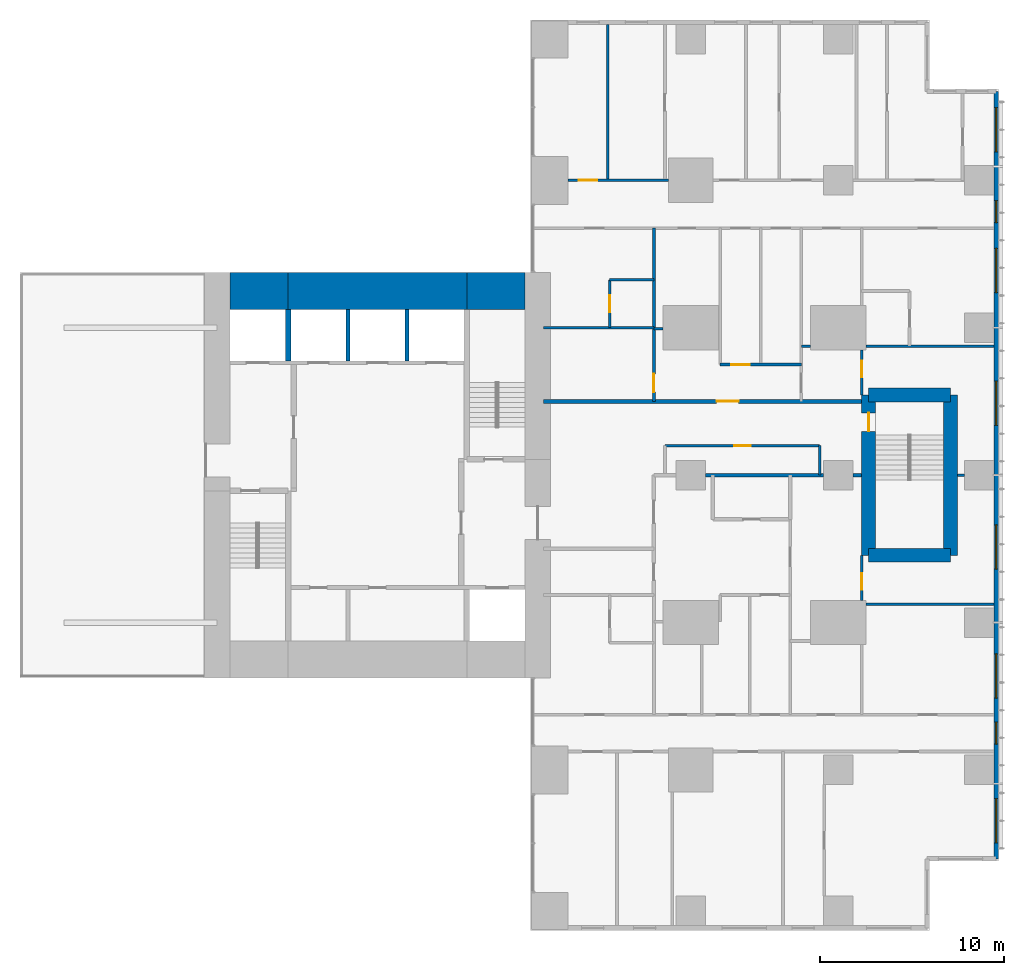
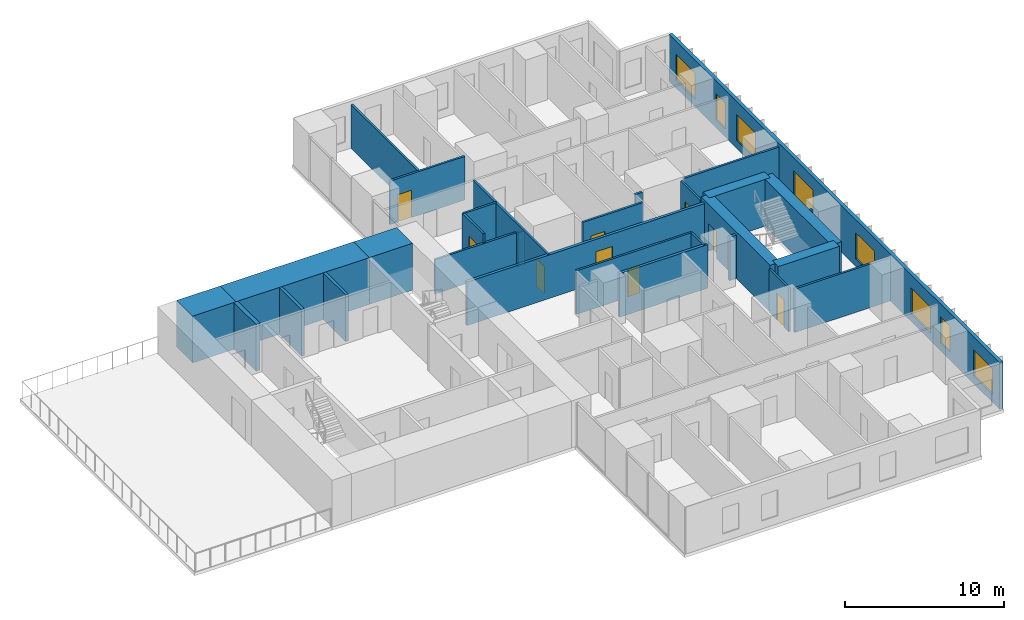
# One storey, part 11 of 14: 30 walls, 9 doors, 8 windows, 17 openings.
"""IFC4 building model written with IfcOpenShell, lengths in metres."""

from ifc_helpers import new_model, si_unit, direction, frame, frame_2d, origin, place, context, subcontext, project, spatial, rectangle, extrude, material, layer, layer_set, type_object, element, fill, save


model = new_model("IFC4")

# Units and contexts
model_context = context("Model", 3, precision=1e-05, world=origin(), true_north=direction((0.0, 1.0)))
body_context = subcontext(model_context, "Body", "Model", "MODEL_VIEW")
ifc_project = project(units=[si_unit("LENGTHUNIT", "METRE"), si_unit("AREAUNIT", "SQUARE_METRE"), si_unit("VOLUMEUNIT", "CUBIC_METRE"), si_unit("PLANEANGLEUNIT", "RADIAN"), si_unit("MASSUNIT", "GRAM", prefix="KILO")], contexts=[model_context])

# Site, building, storey
site_placement = place(None, origin())
site = spatial("IfcSite", under=ifc_project, at=site_placement, CompositionType="ELEMENT")
building_placement = place(site_placement, origin())
building = spatial("IfcBuilding", under=site, at=building_placement, Name="Cleftline Residences", CompositionType="ELEMENT")
storey_placement = place(building_placement, frame((0.0, 0.0, 230.39990234375)))
storey = spatial("IfcBuildingStorey", under=building, at=storey_placement, Name="L60", CompositionType="ELEMENT", Elevation=230.39990234375)

# Walls
ifc_material_1 = material(Name="Concrete B70", Category="concrete")
ifc_layer_1 = layer(ifc_material_1, 2.0)
ifc_layer_set_1 = layer_set([ifc_layer_1], Name="CORE WALL 2000")
wall_type_1 = type_object("IfcWallType", Name="CORE WALL 2000", PredefinedType="SHEAR", material=ifc_layer_set_1)
wall_1_placement = place(storey_placement, frame((25.0, 34.0, 0.0), z_axis=(0.0, 0.0, 1.0), x_axis=(1.0, 0.0, 0.0)))
element("IfcWall", 1, at=wall_1_placement, inside=storey, type_object=wall_type_1, Name="Core wall N1", PredefinedType="SHEAR", context=body_context, shape_type="SweptSolid", body=[
    extrude(rectangle(XDim=3.14990234375, YDim=2.0, at=frame_2d((1.574951171875, 0.0))), origin(), (0.0, 0.0, 1.0), 3.60009765625),
])
wall_2_placement = place(storey_placement, frame((28.14990234375, 34.0, 0.0), z_axis=(0.0, 0.0, 1.0), x_axis=(1.0, 0.0, 0.0)))
element("IfcWall", 2, at=wall_2_placement, inside=storey, type_object=wall_type_1, Name="Core wall N2", PredefinedType="SHEAR", context=body_context, shape_type="SweptSolid", body=[
    extrude(rectangle(XDim=9.7001953125, YDim=2.0, at=frame_2d((4.85009765625, 0.0))), origin(), (0.0, 0.0, 1.0), 3.60009765625),
])
wall_3_placement = place(storey_placement, frame((37.85009765625, 34.0, 0.0), z_axis=(0.0, 0.0, 1.0), x_axis=(1.0, 0.0, 0.0)))
element("IfcWall", 3, at=wall_3_placement, inside=storey, type_object=wall_type_1, Name="Core wall N3", PredefinedType="SHEAR", context=body_context, shape_type="SweptSolid", body=[
    extrude(rectangle(XDim=3.14990234375, YDim=2.0, at=frame_2d((1.574951171875, 0.0))), origin(), (0.0, 0.0, 1.0), 3.60009765625),
])
ifc_material_2 = material(Name="Concrete B70", Category="concrete")
ifc_layer_2 = layer(ifc_material_2, 0.300048828125)
ifc_layer_set_2 = layer_set([ifc_layer_2], Name="CORE WALL 300")
wall_type_2 = type_object("IfcWallType", Name="CORE WALL 300", PredefinedType="SHEAR", material=ifc_layer_set_2)
wall_4_placement = place(storey_placement, frame((28.14990234375, 30.199951171875, 0.0), z_axis=(0.0, 0.0, 1.0), x_axis=(0.0, 1.0, 0.0)))
element("IfcWall", 4, at=wall_4_placement, inside=storey, type_object=wall_type_2, Name="Lift shaft wall", PredefinedType="SHEAR", context=body_context, shape_type="SweptSolid", body=[
    extrude(rectangle(XDim=2.800048828125, YDim=0.300048828125, at=frame_2d((1.39990234375, 0.0))), origin(), (0.0, 0.0, 1.0), 3.60009765625),
])

# Wall, openings, windows
ifc_material_3 = material(Name="Rendered reinforced concrete blockwork", Category="masonry")
ifc_layer_3 = layer(ifc_material_3, 0.25)
ifc_layer_set_3 = layer_set([ifc_layer_3], Name="EXTERNAL WALL 250")
wall_type_3 = type_object("IfcWallType", Name="EXTERNAL WALL 250", PredefinedType="SOLIDWALL", material=ifc_layer_set_3)
wall_5_placement = place(storey_placement, frame((66.574951171875, 3.175048828125, 0.0), z_axis=(0.0, 0.0, 1.0), x_axis=(0.0, 1.0, 0.0)))
wall_5 = element("IfcWall", 5, at=wall_5_placement, inside=storey, type_object=wall_type_3, Name="External wall", PredefinedType="SOLIDWALL", context=body_context, shape_type="SweptSolid", body=[
    extrude(rectangle(XDim=41.64990234375, YDim=0.25, at=frame_2d((20.824951171875, 0.0))), origin(), (0.0, 0.0, 1.0), 3.60009765625),
])
opening_1_placement = place(wall_5_placement, frame((0.875, 0.0, 0.60009765625)))
opening_1 = element("IfcOpeningElement", 6, at=opening_1_placement, cuts=wall_5, Name="Opening W6", PredefinedType="OPENING", context=body_context, shape_type="SweptSolid", body=[
    extrude(rectangle(XDim=2.39990234375, YDim=2.0, at=frame_2d((1.199951171875, 1.0))), frame((0.0, 0.135009765625, 0.0), z_axis=(0.0, -1.0, 0.0), x_axis=(1.0, 0.0, 0.0)), (0.0, 0.0, 1.0), 0.27001953125),
])
opening_2_placement = place(wall_5_placement, frame((6.22509765625, 0.0, 0.60009765625)))
opening_2 = element("IfcOpeningElement", 7, at=opening_2_placement, cuts=wall_5, Name="Opening W8", PredefinedType="OPENING", context=body_context, shape_type="SweptSolid", body=[
    extrude(rectangle(XDim=1.199951171875, YDim=2.0, at=frame_2d((0.60009765625, 1.0))), frame((0.0, 0.135009765625, 0.0), z_axis=(0.0, -1.0, 0.0), x_axis=(1.0, 0.0, 0.0)), (0.0, 0.0, 1.0), 0.27001953125),
])
opening_3_placement = place(wall_5_placement, frame((8.72509765625, 0.0, 0.60009765625)))
opening_3 = element("IfcOpeningElement", 8, at=opening_3_placement, cuts=wall_5, Name="Opening W6", PredefinedType="OPENING", context=body_context, shape_type="SweptSolid", body=[
    extrude(rectangle(XDim=2.39990234375, YDim=2.0, at=frame_2d((1.199951171875, 1.0))), frame((0.0, 0.135009765625, 0.0), z_axis=(0.0, -1.0, 0.0), x_axis=(1.0, 0.0, 0.0)), (0.0, 0.0, 1.0), 0.27001953125),
])
opening_4_placement = place(wall_5_placement, frame((15.72509765625, 0.0, 0.60009765625)))
opening_4 = element("IfcOpeningElement", 9, at=opening_4_placement, cuts=wall_5, Name="Opening W6", PredefinedType="OPENING", context=body_context, shape_type="SweptSolid", body=[
    extrude(rectangle(XDim=2.39990234375, YDim=2.0, at=frame_2d((1.199951171875, 1.0))), frame((0.0, 0.135009765625, 0.0), z_axis=(0.0, -1.0, 0.0), x_axis=(1.0, 0.0, 0.0)), (0.0, 0.0, 1.0), 0.27001953125),
])
opening_5_placement = place(wall_5_placement, frame((23.52490234375, 0.0, 0.60009765625)))
opening_5 = element("IfcOpeningElement", 10, at=opening_5_placement, cuts=wall_5, Name="Opening W6", PredefinedType="OPENING", context=body_context, shape_type="SweptSolid", body=[
    extrude(rectangle(XDim=2.39990234375, YDim=2.0, at=frame_2d((1.199951171875, 1.0))), frame((0.0, 0.135009765625, 0.0), z_axis=(0.0, -1.0, 0.0), x_axis=(1.0, 0.0, 0.0)), (0.0, 0.0, 1.0), 0.27001953125),
])
opening_6_placement = place(wall_5_placement, frame((30.72509765625, 0.0, 0.60009765625)))
opening_6 = element("IfcOpeningElement", 11, at=opening_6_placement, cuts=wall_5, Name="Opening W6", PredefinedType="OPENING", context=body_context, shape_type="SweptSolid", body=[
    extrude(rectangle(XDim=2.39990234375, YDim=2.0, at=frame_2d((1.199951171875, 1.0))), frame((0.0, 0.135009765625, 0.0), z_axis=(0.0, -1.0, 0.0), x_axis=(1.0, 0.0, 0.0)), (0.0, 0.0, 1.0), 0.27001953125),
])
opening_7_placement = place(wall_5_placement, frame((34.52490234375, 0.0, 0.60009765625)))
opening_7 = element("IfcOpeningElement", 12, at=opening_7_placement, cuts=wall_5, Name="Opening W8", PredefinedType="OPENING", context=body_context, shape_type="SweptSolid", body=[
    extrude(rectangle(XDim=1.199951171875, YDim=2.0, at=frame_2d((0.60009765625, 1.0))), frame((0.0, 0.135009765625, 0.0), z_axis=(0.0, -1.0, 0.0), x_axis=(1.0, 0.0, 0.0)), (0.0, 0.0, 1.0), 0.27001953125),
])
opening_8_placement = place(wall_5_placement, frame((38.375, 0.0, 0.60009765625)))
opening_8 = element("IfcOpeningElement", 13, at=opening_8_placement, cuts=wall_5, Name="Opening W6", PredefinedType="OPENING", context=body_context, shape_type="SweptSolid", body=[
    extrude(rectangle(XDim=2.39990234375, YDim=2.0, at=frame_2d((1.199951171875, 1.0))), frame((0.0, 0.135009765625, 0.0), z_axis=(0.0, -1.0, 0.0), x_axis=(1.0, 0.0, 0.0)), (0.0, 0.0, 1.0), 0.27001953125),
])
ifc_material_4 = material(Name="Aluminium frame, clear double glazing", Category="aluminium")
window_type_1 = type_object("IfcWindowType", Name="WINDOW 1200X2000", PartitioningType="DOUBLE_PANEL_VERTICAL", PredefinedType="WINDOW", material=ifc_material_4)
window_1_placement = place(opening_2_placement, origin())
window_1 = element("IfcWindow", 14, at=window_1_placement, inside=storey, type_object=window_type_1, Name="Window", OverallHeight=2.0, OverallWidth=1.199951171875, PartitioningType="SINGLE_PANEL", PredefinedType="WINDOW", context=body_context, shape_type="SweptSolid", body=[
    extrude(rectangle(XDim=1.199951171875, YDim=2.0, at=frame_2d((0.60009765625, 1.0))), frame((0.0, 0.030029296875, 0.0), z_axis=(0.0, -1.0, 0.0), x_axis=(1.0, 0.0, 0.0)), (0.0, 0.0, 1.0), 0.06005859375),
])
fill(opening_2, window_1)
window_2_placement = place(opening_7_placement, origin())
window_2 = element("IfcWindow", 15, at=window_2_placement, inside=storey, type_object=window_type_1, Name="Window", OverallHeight=2.0, OverallWidth=1.199951171875, PartitioningType="SINGLE_PANEL", PredefinedType="WINDOW", context=body_context, shape_type="SweptSolid", body=[
    extrude(rectangle(XDim=1.199951171875, YDim=2.0, at=frame_2d((0.60009765625, 1.0))), frame((0.0, 0.030029296875, 0.0), z_axis=(0.0, -1.0, 0.0), x_axis=(1.0, 0.0, 0.0)), (0.0, 0.0, 1.0), 0.06005859375),
])
fill(opening_7, window_2)
ifc_material_5 = material(Name="Aluminium frame, clear double glazing", Category="aluminium")
window_type_2 = type_object("IfcWindowType", Name="WINDOW 2400X2000", PartitioningType="DOUBLE_PANEL_VERTICAL", PredefinedType="WINDOW", material=ifc_material_5)
window_3_placement = place(opening_1_placement, origin())
window_3 = element("IfcWindow", 16, at=window_3_placement, inside=storey, type_object=window_type_2, Name="Window", OverallHeight=2.0, OverallWidth=2.39990234375, PartitioningType="SINGLE_PANEL", PredefinedType="WINDOW", context=body_context, shape_type="SweptSolid", body=[
    extrude(rectangle(XDim=2.39990234375, YDim=2.0, at=frame_2d((1.199951171875, 1.0))), frame((0.0, 0.030029296875, 0.0), z_axis=(0.0, -1.0, 0.0), x_axis=(1.0, 0.0, 0.0)), (0.0, 0.0, 1.0), 0.06005859375),
])
fill(opening_1, window_3)
window_4_placement = place(opening_3_placement, origin())
window_4 = element("IfcWindow", 17, at=window_4_placement, inside=storey, type_object=window_type_2, Name="Window", OverallHeight=2.0, OverallWidth=2.39990234375, PartitioningType="SINGLE_PANEL", PredefinedType="WINDOW", context=body_context, shape_type="SweptSolid", body=[
    extrude(rectangle(XDim=2.39990234375, YDim=2.0, at=frame_2d((1.199951171875, 1.0))), frame((0.0, 0.030029296875, 0.0), z_axis=(0.0, -1.0, 0.0), x_axis=(1.0, 0.0, 0.0)), (0.0, 0.0, 1.0), 0.06005859375),
])
fill(opening_3, window_4)
window_5_placement = place(opening_4_placement, origin())
window_5 = element("IfcWindow", 18, at=window_5_placement, inside=storey, type_object=window_type_2, Name="Window", OverallHeight=2.0, OverallWidth=2.39990234375, PartitioningType="SINGLE_PANEL", PredefinedType="WINDOW", context=body_context, shape_type="SweptSolid", body=[
    extrude(rectangle(XDim=2.39990234375, YDim=2.0, at=frame_2d((1.199951171875, 1.0))), frame((0.0, 0.030029296875, 0.0), z_axis=(0.0, -1.0, 0.0), x_axis=(1.0, 0.0, 0.0)), (0.0, 0.0, 1.0), 0.06005859375),
])
fill(opening_4, window_5)
window_6_placement = place(opening_5_placement, origin())
window_6 = element("IfcWindow", 19, at=window_6_placement, inside=storey, type_object=window_type_2, Name="Window", OverallHeight=2.0, OverallWidth=2.39990234375, PartitioningType="SINGLE_PANEL", PredefinedType="WINDOW", context=body_context, shape_type="SweptSolid", body=[
    extrude(rectangle(XDim=2.39990234375, YDim=2.0, at=frame_2d((1.199951171875, 1.0))), frame((0.0, 0.030029296875, 0.0), z_axis=(0.0, -1.0, 0.0), x_axis=(1.0, 0.0, 0.0)), (0.0, 0.0, 1.0), 0.06005859375),
])
fill(opening_5, window_6)
window_7_placement = place(opening_6_placement, origin())
window_7 = element("IfcWindow", 20, at=window_7_placement, inside=storey, type_object=window_type_2, Name="Window", OverallHeight=2.0, OverallWidth=2.39990234375, PartitioningType="SINGLE_PANEL", PredefinedType="WINDOW", context=body_context, shape_type="SweptSolid", body=[
    extrude(rectangle(XDim=2.39990234375, YDim=2.0, at=frame_2d((1.199951171875, 1.0))), frame((0.0, 0.030029296875, 0.0), z_axis=(0.0, -1.0, 0.0), x_axis=(1.0, 0.0, 0.0)), (0.0, 0.0, 1.0), 0.06005859375),
])
fill(opening_6, window_7)
window_8_placement = place(opening_8_placement, origin())
window_8 = element("IfcWindow", 21, at=window_8_placement, inside=storey, type_object=window_type_2, Name="Window", OverallHeight=2.0, OverallWidth=2.39990234375, PartitioningType="SINGLE_PANEL", PredefinedType="WINDOW", context=body_context, shape_type="SweptSolid", body=[
    extrude(rectangle(XDim=2.39990234375, YDim=2.0, at=frame_2d((1.199951171875, 1.0))), frame((0.0, 0.030029296875, 0.0), z_axis=(0.0, -1.0, 0.0), x_axis=(1.0, 0.0, 0.0)), (0.0, 0.0, 1.0), 0.06005859375),
])
fill(opening_8, window_8)

# Walls
ifc_material_6 = material(Name="Concrete blockwork, fire rated", Category="masonry")
ifc_layer_4 = layer(ifc_material_6, 0.199951171875)
ifc_layer_set_4 = layer_set([ifc_layer_4], Name="FIRE WALL 200")
wall_type_4 = type_object("IfcWallType", Name="FIRE WALL 200", PredefinedType="PARTITIONING", material=ifc_layer_set_4)
wall_6_placement = place(storey_placement, frame((50.800048828125, 24.0, 0.0), z_axis=(0.0, 0.0, 1.0), x_axis=(1.0, 0.0, 0.0)))
element("IfcWall", 22, at=wall_6_placement, inside=storey, type_object=wall_type_4, Name="Fire separating wall", PredefinedType="PARTITIONING", context=body_context, shape_type="SweptSolid", body=[
    extrude(rectangle(XDim=6.39990234375, YDim=0.199951171875, at=frame_2d((3.199951171875, 0.0))), origin(), (0.0, 0.0, 1.0), 3.35009765625),
])
wall_7_placement = place(storey_placement, frame((58.800048828125, 24.0, 0.0), z_axis=(0.0, 0.0, 1.0), x_axis=(1.0, 0.0, 0.0)))
element("IfcWall", 23, at=wall_7_placement, inside=storey, type_object=wall_type_4, Name="Fire separating wall", PredefinedType="PARTITIONING", context=body_context, shape_type="SweptSolid", body=[
    extrude(rectangle(XDim=0.474853515625, YDim=0.199951171875, at=frame_2d((0.2373046875, 0.0))), origin(), (0.0, 0.0, 1.0), 3.35009765625),
])

# Wall, opening, door
wall_8_placement = place(storey_placement, frame((42.0, 28.0, 0.0), z_axis=(0.0, 0.0, 1.0), x_axis=(1.0, 0.0, 0.0)))
wall_8 = element("IfcWall", 24, at=wall_8_placement, inside=storey, type_object=wall_type_4, Name="Fire separating wall", PredefinedType="PARTITIONING", context=body_context, shape_type="SweptSolid", body=[
    extrude(rectangle(XDim=17.27490234375, YDim=0.199951171875, at=frame_2d((8.637451171875, 0.0))), origin(), (0.0, 0.0, 1.0), 3.35009765625),
])
opening_9_placement = place(wall_8_placement, frame((9.39990234375, 0.0, 0.0)))
opening_9 = element("IfcOpeningElement", 25, at=opening_9_placement, cuts=wall_8, Name="Opening D4", PredefinedType="OPENING", context=body_context, shape_type="SweptSolid", body=[
    extrude(rectangle(XDim=1.199951171875, YDim=2.39990234375, at=frame_2d((0.60009765625, 1.199951171875))), frame((0.0, 0.10986328125, 0.0), z_axis=(0.0, -1.0, 0.0), x_axis=(1.0, 0.0, 0.0)), (0.0, 0.0, 1.0), 0.219970703125),
])
ifc_material_7 = material(Name="Timber veneer on solid core", Category="wood")
door_type_1 = type_object("IfcDoorType", Name="APARTMENT ENTRANCE DOOR 1200X2400", OperationType="SINGLE_SWING_RIGHT", PredefinedType="DOOR", material=ifc_material_7)
door_1_placement = place(opening_9_placement, origin())
door_1 = element("IfcDoor", 26, at=door_1_placement, inside=storey, type_object=door_type_1, Name="Door to residence entrance (gallery)", OperationType="SINGLE_SWING_LEFT", OverallHeight=2.39990234375, OverallWidth=1.199951171875, PredefinedType="DOOR", context=body_context, shape_type="SweptSolid", body=[
    extrude(rectangle(XDim=1.199951171875, YDim=2.39990234375, at=frame_2d((0.60009765625, 1.199951171875))), frame((0.0, 0.02490234375, 0.0), z_axis=(0.0, -1.0, 0.0), x_axis=(1.0, 0.0, 0.0)), (0.0, 0.0, 1.0), 0.050048828125),
])
fill(opening_9, door_1)

# Walls
ifc_material_8 = material(Name="Gypsum board on steel studs", Category="steel")
ifc_layer_5 = layer(ifc_material_8, 0.14990234375)
ifc_layer_set_5 = layer_set([ifc_layer_5], Name="PARTITION 150")
wall_type_5 = type_object("IfcWallType", Name="PARTITION 150", PredefinedType="PARTITIONING", material=ifc_layer_set_5)
wall_9_placement = place(storey_placement, frame((59.5, 17.0, 0.0), z_axis=(0.0, 0.0, 1.0), x_axis=(1.0, 0.0, 0.0)))
element("IfcWall", 27, at=wall_9_placement, inside=storey, type_object=wall_type_5, Name="Partition", PredefinedType="PARTITIONING", context=body_context, shape_type="SweptSolid", body=[
    extrude(rectangle(XDim=6.949951171875, YDim=0.14990234375, at=frame_2d((3.47509765625, 0.0))), origin(), (0.0, 0.0, 1.0), 3.35009765625),
])
wall_10_placement = place(storey_placement, frame((64.47509765625, 24.0, 0.0), z_axis=(0.0, 0.0, 1.0), x_axis=(1.0, 0.0, 0.0)))
element("IfcWall", 28, at=wall_10_placement, inside=storey, type_object=wall_type_5, Name="Partition", PredefinedType="PARTITIONING", context=body_context, shape_type="SweptSolid", body=[
    extrude(rectangle(XDim=0.375, YDim=0.14990234375, at=frame_2d((0.1875, 0.0))), origin(), (0.0, 0.0, 1.0), 3.35009765625),
])

# Wall, opening, door
wall_11_placement = place(storey_placement, frame((48.60009765625, 25.60009765625, 0.0), z_axis=(0.0, 0.0, 1.0), x_axis=(1.0, 0.0, 0.0)))
wall_11 = element("IfcWall", 29, at=wall_11_placement, inside=storey, type_object=wall_type_5, Name="Partition", PredefinedType="PARTITIONING", context=body_context, shape_type="SweptSolid", body=[
    extrude(rectangle(XDim=8.39990234375, YDim=0.14990234375, at=frame_2d((4.199951171875, 0.0))), origin(), (0.0, 0.0, 1.0), 3.35009765625),
])
opening_10_placement = place(wall_11_placement, frame((3.75, 0.0, 0.0)))
opening_10 = element("IfcOpeningElement", 30, at=opening_10_placement, cuts=wall_11, Name="Opening D1", PredefinedType="OPENING", context=body_context, shape_type="SweptSolid", body=[
    extrude(rectangle(XDim=0.89990234375, YDim=2.10009765625, at=frame_2d((0.449951171875, 1.050048828125))), frame((0.0, 0.0849609375, 0.0), z_axis=(0.0, -1.0, 0.0), x_axis=(1.0, 0.0, 0.0)), (0.0, 0.0, 1.0), 0.169921875),
])
ifc_material_9 = material(Name="Timber veneer on solid core", Category="wood")
door_type_2 = type_object("IfcDoorType", Name="DOOR 900X2100", OperationType="SINGLE_SWING_LEFT", PredefinedType="DOOR", material=ifc_material_9)
door_2_placement = place(opening_10_placement, origin())
door_2 = element("IfcDoor", 31, at=door_2_placement, inside=storey, type_object=door_type_2, Name="Door to residents' locker room", OperationType="SINGLE_SWING_LEFT", OverallHeight=2.10009765625, OverallWidth=0.89990234375, PredefinedType="DOOR", context=body_context, shape_type="SweptSolid", body=[
    extrude(rectangle(XDim=0.89990234375, YDim=2.10009765625, at=frame_2d((0.449951171875, 1.050048828125))), frame((0.0, 0.02490234375, 0.0), z_axis=(0.0, -1.0, 0.0), x_axis=(1.0, 0.0, 0.0)), (0.0, 0.0, 1.0), 0.050048828125),
])
fill(opening_10, door_2)

wall_12_placement = place(storey_placement, frame((51.60009765625, 30.0, 0.0), z_axis=(0.0, 0.0, 1.0), x_axis=(1.0, 0.0, 0.0)))
wall_12 = element("IfcWall", 32, at=wall_12_placement, inside=storey, type_object=wall_type_5, Name="Partition", PredefinedType="PARTITIONING", context=body_context, shape_type="SweptSolid", body=[
    extrude(rectangle(XDim=4.39990234375, YDim=0.14990234375, at=frame_2d((2.199951171875, 0.0))), origin(), (0.0, 0.0, 1.0), 3.35009765625),
])
opening_11_placement = place(wall_12_placement, frame((0.60009765625, 0.0, 0.0)))
opening_11 = element("IfcOpeningElement", 33, at=opening_11_placement, cuts=wall_12, Name="Opening D2", PredefinedType="OPENING", context=body_context, shape_type="SweptSolid", body=[
    extrude(rectangle(XDim=1.0, YDim=2.10009765625, at=frame_2d((0.5, 1.050048828125))), frame((0.0, 0.0849609375, 0.0), z_axis=(0.0, -1.0, 0.0), x_axis=(1.0, 0.0, 0.0)), (0.0, 0.0, 1.0), 0.169921875),
])
ifc_material_10 = material(Name="Timber veneer on solid core", Category="wood")
door_type_3 = type_object("IfcDoorType", Name="DOOR 1000X2100", OperationType="SINGLE_SWING_LEFT", PredefinedType="DOOR", material=ifc_material_10)
door_3_placement = place(opening_11_placement, origin())
door_3 = element("IfcDoor", 34, at=door_3_placement, inside=storey, type_object=door_type_3, Name="Door to residence passage", OperationType="SINGLE_SWING_RIGHT", OverallHeight=2.10009765625, OverallWidth=1.0, PredefinedType="DOOR", context=body_context, shape_type="SweptSolid", body=[
    extrude(rectangle(XDim=1.0, YDim=2.10009765625, at=frame_2d((0.5, 1.050048828125))), frame((0.0, 0.02490234375, 0.0), z_axis=(0.0, -1.0, 0.0), x_axis=(1.0, 0.0, 0.0)), (0.0, 0.0, 1.0), 0.050048828125),
])
fill(opening_11, door_3)

# Walls
wall_13_placement = place(storey_placement, frame((56.0, 31.0, 0.0), z_axis=(0.0, 0.0, 1.0), x_axis=(1.0, 0.0, 0.0)))
element("IfcWall", 35, at=wall_13_placement, inside=storey, type_object=wall_type_5, Name="Partition", PredefinedType="PARTITIONING", context=body_context, shape_type="SweptSolid", body=[
    extrude(rectangle(XDim=0.5, YDim=0.14990234375, at=frame_2d((0.25, 0.0))), origin(), (0.0, 0.0, 1.0), 3.35009765625),
])
wall_14_placement = place(storey_placement, frame((59.5, 31.0, 0.0), z_axis=(0.0, 0.0, 1.0), x_axis=(1.0, 0.0, 0.0)))
element("IfcWall", 36, at=wall_14_placement, inside=storey, type_object=wall_type_5, Name="Partition", PredefinedType="PARTITIONING", context=body_context, shape_type="SweptSolid", body=[
    extrude(rectangle(XDim=6.949951171875, YDim=0.14990234375, at=frame_2d((3.47509765625, 0.0))), origin(), (0.0, 0.0, 1.0), 3.35009765625),
])
wall_15_placement = place(storey_placement, frame((48.0, 31.949951171875, 0.0), z_axis=(0.0, 0.0, 1.0), x_axis=(1.0, 0.0, 0.0)))
element("IfcWall", 37, at=wall_15_placement, inside=storey, type_object=wall_type_5, Name="Partition", PredefinedType="PARTITIONING", context=body_context, shape_type="SweptSolid", body=[
    extrude(rectangle(XDim=0.5, YDim=0.14990234375, at=frame_2d((0.25, 0.0))), origin(), (0.0, 0.0, 1.0), 2.634033203125),
])
wall_16_placement = place(storey_placement, frame((42.0, 32.0, 0.0), z_axis=(0.0, 0.0, 1.0), x_axis=(1.0, 0.0, 0.0)))
element("IfcWall", 38, at=wall_16_placement, inside=storey, type_object=wall_type_5, Name="Partition", PredefinedType="PARTITIONING", context=body_context, shape_type="SweptSolid", body=[
    extrude(rectangle(XDim=6.0, YDim=0.14990234375, at=frame_2d((3.0, 0.0))), origin(), (0.0, 0.0, 1.0), 2.634033203125),
])
wall_17_placement = place(storey_placement, frame((45.60009765625, 34.60009765625, 0.0), z_axis=(0.0, 0.0, 1.0), x_axis=(1.0, 0.0, 0.0)))
element("IfcWall", 39, at=wall_17_placement, inside=storey, type_object=wall_type_5, Name="Partition", PredefinedType="PARTITIONING", context=body_context, shape_type="SweptSolid", body=[
    extrude(rectangle(XDim=2.39990234375, YDim=0.14990234375, at=frame_2d((1.199951171875, 0.0))), origin(), (0.0, 0.0, 1.0), 3.35009765625),
])

# Wall, opening, door
wall_18_placement = place(storey_placement, frame((43.35009765625, 40.0, 0.0), z_axis=(0.0, 0.0, 1.0), x_axis=(1.0, 0.0, 0.0)))
wall_18 = element("IfcWall", 40, at=wall_18_placement, inside=storey, type_object=wall_type_5, Name="Partition", PredefinedType="PARTITIONING", context=body_context, shape_type="SweptSolid", body=[
    extrude(rectangle(XDim=5.449951171875, YDim=0.14990234375, at=frame_2d((2.72509765625, 0.0))), origin(), (0.0, 0.0, 1.0), 3.35009765625),
])
opening_12_placement = place(wall_18_placement, frame((0.574951171875, 0.0, 0.0)))
opening_12 = element("IfcOpeningElement", 41, at=opening_12_placement, cuts=wall_18, Name="Opening D2", PredefinedType="OPENING", context=body_context, shape_type="SweptSolid", body=[
    extrude(rectangle(XDim=1.0, YDim=2.10009765625, at=frame_2d((0.5, 1.050048828125))), frame((0.0, 0.0849609375, 0.0), z_axis=(0.0, -1.0, 0.0), x_axis=(1.0, 0.0, 0.0)), (0.0, 0.0, 1.0), 0.169921875),
])
door_4_placement = place(opening_12_placement, origin())
door_4 = element("IfcDoor", 42, at=door_4_placement, inside=storey, type_object=door_type_3, Name="Door to family room", OperationType="SINGLE_SWING_RIGHT", OverallHeight=2.10009765625, OverallWidth=1.0, PredefinedType="DOOR", context=body_context, shape_type="SweptSolid", body=[
    extrude(rectangle(XDim=1.0, YDim=2.10009765625, at=frame_2d((0.5, 1.050048828125))), frame((0.0, 0.02490234375, 0.0), z_axis=(0.0, -1.0, 0.0), x_axis=(1.0, 0.0, 0.0)), (0.0, 0.0, 1.0), 0.050048828125),
])
fill(opening_12, door_4)

# Wall
wall_19_placement = place(storey_placement, frame((45.5, 40.0, 0.0), z_axis=(0.0, 0.0, 1.0), x_axis=(0.0, 1.0, 0.0)))
element("IfcWall", 43, at=wall_19_placement, inside=storey, type_object=wall_type_5, Name="Partition", PredefinedType="PARTITIONING", context=body_context, shape_type="SweptSolid", body=[
    extrude(rectangle(XDim=8.449951171875, YDim=0.14990234375, at=frame_2d((4.22509765625, 0.0))), origin(), (0.0, 0.0, 1.0), 3.35009765625),
])

# Wall, opening, door
wall_20_placement = place(storey_placement, frame((45.60009765625, 32.0, 0.0), z_axis=(0.0, 0.0, 1.0), x_axis=(0.0, 1.0, 0.0)))
wall_20 = element("IfcWall", 44, at=wall_20_placement, inside=storey, type_object=wall_type_5, Name="Partition", PredefinedType="PARTITIONING", context=body_context, shape_type="SweptSolid", body=[
    extrude(rectangle(XDim=2.60009765625, YDim=0.14990234375, at=frame_2d((1.300048828125, 0.0))), origin(), (0.0, 0.0, 1.0), 3.35009765625),
])
opening_13_placement = place(wall_20_placement, frame((0.85009765625, 0.0, 0.0)))
opening_13 = element("IfcOpeningElement", 45, at=opening_13_placement, cuts=wall_20, Name="Opening D1", PredefinedType="OPENING", context=body_context, shape_type="SweptSolid", body=[
    extrude(rectangle(XDim=0.89990234375, YDim=2.10009765625, at=frame_2d((0.449951171875, 1.050048828125))), frame((0.0, 0.0849609375, 0.0), z_axis=(0.0, -1.0, 0.0), x_axis=(1.0, 0.0, 0.0)), (0.0, 0.0, 1.0), 0.169921875),
])
door_5_placement = place(opening_13_placement, origin())
door_5 = element("IfcDoor", 46, at=door_5_placement, inside=storey, type_object=door_type_2, Name="Door to en-suite bathroom 5", OperationType="SINGLE_SWING_LEFT", OverallHeight=2.10009765625, OverallWidth=0.89990234375, PredefinedType="DOOR", context=body_context, shape_type="SweptSolid", body=[
    extrude(rectangle(XDim=0.89990234375, YDim=2.10009765625, at=frame_2d((0.449951171875, 1.050048828125))), frame((0.0, 0.02490234375, 0.0), z_axis=(0.0, -1.0, 0.0), x_axis=(1.0, 0.0, 0.0)), (0.0, 0.0, 1.0), 0.050048828125),
])
fill(opening_13, door_5)

wall_21_placement = place(storey_placement, frame((48.0, 28.0, 0.0), z_axis=(0.0, 0.0, 1.0), x_axis=(0.0, 1.0, 0.0)))
wall_21 = element("IfcWall", 47, at=wall_21_placement, inside=storey, type_object=wall_type_5, Name="Partition", PredefinedType="PARTITIONING", context=body_context, shape_type="SweptSolid", body=[
    extrude(rectangle(XDim=9.39990234375, YDim=0.14990234375, at=frame_2d((4.699951171875, 0.0))), origin(), (0.0, 0.0, 1.0), 3.35009765625),
])
opening_14_placement = place(wall_21_placement, frame((0.5, 0.0, 0.0)))
opening_14 = element("IfcOpeningElement", 48, at=opening_14_placement, cuts=wall_21, Name="Opening D2", PredefinedType="OPENING", context=body_context, shape_type="SweptSolid", body=[
    extrude(rectangle(XDim=1.0, YDim=2.10009765625, at=frame_2d((0.5, 1.050048828125))), frame((0.0, 0.0849609375, 0.0), z_axis=(0.0, -1.0, 0.0), x_axis=(1.0, 0.0, 0.0)), (0.0, 0.0, 1.0), 0.169921875),
])
door_6_placement = place(opening_14_placement, origin())
door_6 = element("IfcDoor", 49, at=door_6_placement, inside=storey, type_object=door_type_3, Name="Door to morning kitchen", OperationType="SINGLE_SWING_RIGHT", OverallHeight=2.10009765625, OverallWidth=1.0, PredefinedType="DOOR", context=body_context, shape_type="SweptSolid", body=[
    extrude(rectangle(XDim=1.0, YDim=2.10009765625, at=frame_2d((0.5, 1.050048828125))), frame((0.0, 0.02490234375, 0.0), z_axis=(0.0, -1.0, 0.0), x_axis=(1.0, 0.0, 0.0)), (0.0, 0.0, 1.0), 0.050048828125),
])
fill(opening_14, door_6)

# Wall
wall_22_placement = place(storey_placement, frame((57.0, 24.0, 0.0), z_axis=(0.0, 0.0, 1.0), x_axis=(0.0, 1.0, 0.0)))
element("IfcWall", 50, at=wall_22_placement, inside=storey, type_object=wall_type_5, Name="Partition", PredefinedType="PARTITIONING", context=body_context, shape_type="SweptSolid", body=[
    extrude(rectangle(XDim=1.60009765625, YDim=0.14990234375, at=frame_2d((0.800048828125, 0.0))), origin(), (0.0, 0.0, 1.0), 3.35009765625),
])

# Wall, opening, door
wall_23_placement = place(storey_placement, frame((59.27490234375, 17.199951171875, 0.0), z_axis=(0.0, 0.0, 1.0), x_axis=(0.0, 1.0, 0.0)))
wall_23 = element("IfcWall", 51, at=wall_23_placement, inside=storey, type_object=wall_type_5, Name="Partition", PredefinedType="PARTITIONING", context=body_context, shape_type="SweptSolid", body=[
    extrude(rectangle(XDim=2.449951171875, YDim=0.14990234375, at=frame_2d((1.22509765625, 0.0))), origin(), (0.0, 0.0, 1.0), 3.35009765625),
])
opening_15_placement = place(wall_23_placement, frame((0.58740234375, 0.0, 0.0)))
opening_15 = element("IfcOpeningElement", 52, at=opening_15_placement, cuts=wall_23, Name="Opening D1", PredefinedType="OPENING", context=body_context, shape_type="SweptSolid", body=[
    extrude(rectangle(XDim=0.89990234375, YDim=2.10009765625, at=frame_2d((0.449951171875, 1.050048828125))), frame((0.0, 0.0849609375, 0.0), z_axis=(0.0, -1.0, 0.0), x_axis=(1.0, 0.0, 0.0)), (0.0, 0.0, 1.0), 0.169921875),
])
door_7_placement = place(opening_15_placement, origin())
door_7 = element("IfcDoor", 53, at=door_7_placement, inside=storey, type_object=door_type_2, Name="Door to drying loggia", OperationType="SINGLE_SWING_RIGHT", OverallHeight=2.10009765625, OverallWidth=0.89990234375, PredefinedType="DOOR", context=body_context, shape_type="SweptSolid", body=[
    extrude(rectangle(XDim=0.89990234375, YDim=2.10009765625, at=frame_2d((0.449951171875, 1.050048828125))), frame((0.0, 0.02490234375, 0.0), z_axis=(0.0, -1.0, 0.0), x_axis=(1.0, 0.0, 0.0)), (0.0, 0.0, 1.0), 0.050048828125),
])
fill(opening_15, door_7)

wall_24_placement = place(storey_placement, frame((59.27490234375, 28.35009765625, 0.0), z_axis=(0.0, 0.0, 1.0), x_axis=(0.0, 1.0, 0.0)))
wall_24 = element("IfcWall", 54, at=wall_24_placement, inside=storey, type_object=wall_type_5, Name="Partition", PredefinedType="PARTITIONING", context=body_context, shape_type="SweptSolid", body=[
    extrude(rectangle(XDim=2.449951171875, YDim=0.14990234375, at=frame_2d((1.22509765625, 0.0))), origin(), (0.0, 0.0, 1.0), 3.35009765625),
])
opening_16_placement = place(wall_24_placement, frame((0.96240234375, 0.0, 0.0)))
opening_16 = element("IfcOpeningElement", 55, at=opening_16_placement, cuts=wall_24, Name="Opening D1", PredefinedType="OPENING", context=body_context, shape_type="SweptSolid", body=[
    extrude(rectangle(XDim=0.89990234375, YDim=2.10009765625, at=frame_2d((0.449951171875, 1.050048828125))), frame((0.0, 0.0849609375, 0.0), z_axis=(0.0, -1.0, 0.0), x_axis=(1.0, 0.0, 0.0)), (0.0, 0.0, 1.0), 0.169921875),
])
door_8_placement = place(opening_16_placement, origin())
door_8 = element("IfcDoor", 56, at=door_8_placement, inside=storey, type_object=door_type_2, Name="Door to master dressing room", OperationType="SINGLE_SWING_LEFT", OverallHeight=2.10009765625, OverallWidth=0.89990234375, PredefinedType="DOOR", context=body_context, shape_type="SweptSolid", body=[
    extrude(rectangle(XDim=0.89990234375, YDim=2.10009765625, at=frame_2d((0.449951171875, 1.050048828125))), frame((0.0, 0.02490234375, 0.0), z_axis=(0.0, -1.0, 0.0), x_axis=(1.0, 0.0, 0.0)), (0.0, 0.0, 1.0), 0.050048828125),
])
fill(opening_16, door_8)

# Walls
ifc_material_11 = material(Name="Concrete blockwork, fire rated", Category="masonry")
ifc_layer_6 = layer(ifc_material_11, 0.199951171875)
ifc_layer_set_6 = layer_set([ifc_layer_6], Name="SHAFT WALL 200")
wall_type_6 = type_object("IfcWallType", Name="SHAFT WALL 200", PredefinedType="PARTITIONING", material=ifc_layer_set_6)
for number, where, z_axis, x_axis, name in (
    (57, (31.39990234375, 30.199951171875, 0.0), (0.0, 0.0, 1.0), (0.0, 1.0, 0.0), "Lift shaft wall"),
    (58, (34.60009765625, 30.199951171875, 0.0), (0.0, 0.0, 1.0), (0.0, 1.0, 0.0), "Lift shaft wall"),
):
    element("IfcWall", number, at=place(storey_placement, frame(where, z_axis=z_axis, x_axis=x_axis)), inside=storey, type_object=wall_type_6, Name=name, PredefinedType="PARTITIONING", context=body_context, shape_type="SweptSolid", body=[
        extrude(rectangle(XDim=2.800048828125, YDim=0.199951171875, at=frame_2d((1.39990234375, 0.0))), origin(), (0.0, 0.0, 1.0), 3.60009765625),
    ])
ifc_material_12 = material(Name="Concrete B70", Category="concrete")
ifc_layer_7 = layer(ifc_material_12, 0.75)
ifc_layer_set_7 = layer_set([ifc_layer_7], Name="SHEAR WALL 750")
wall_type_7 = type_object("IfcWallType", Name="SHEAR WALL 750", PredefinedType="SHEAR", material=ifc_layer_set_7)
wall_25_placement = place(storey_placement, frame((59.64990234375, 19.64990234375, 0.0), z_axis=(0.0, 0.0, 1.0), x_axis=(1.0, 0.0, 0.0)))
element("IfcWall", 59, at=wall_25_placement, inside=storey, type_object=wall_type_7, Name="Wing shear wall", PredefinedType="SHEAR", context=body_context, shape_type="SweptSolid", body=[
    extrude(rectangle(XDim=4.4501953125, YDim=0.75, at=frame_2d((2.22509765625, 0.0))), origin(), (0.0, 0.0, 1.0), 3.60009765625),
])
wall_26_placement = place(storey_placement, frame((64.10009765625, 19.64990234375, 0.0), z_axis=(0.0, 0.0, 1.0), x_axis=(0.0, 1.0, 0.0)))
element("IfcWall", 60, at=wall_26_placement, inside=storey, type_object=wall_type_7, Name="Wing shear wall", PredefinedType="SHEAR", context=body_context, shape_type="SweptSolid", body=[
    extrude(rectangle(XDim=8.7001953125, YDim=0.75, at=frame_2d((4.35009765625, 0.0))), origin(), (0.0, 0.0, 1.0), 3.60009765625),
])
wall_27_placement = place(storey_placement, frame((64.10009765625, 28.35009765625, 0.0), z_axis=(0.0, 0.0, 1.0), x_axis=(-1.0, 0.0, 0.0)))
element("IfcWall", 61, at=wall_27_placement, inside=storey, type_object=wall_type_7, Name="Wing shear wall", PredefinedType="SHEAR", context=body_context, shape_type="SweptSolid", body=[
    extrude(rectangle(XDim=4.4501953125, YDim=0.75, at=frame_2d((2.22509765625, 0.0))), origin(), (0.0, 0.0, 1.0), 3.60009765625),
])

# Wall, opening, door
wall_28_placement = place(storey_placement, frame((59.64990234375, 28.35009765625, 0.0), z_axis=(0.0, 0.0, 1.0), x_axis=(0.0, -1.0, 0.0)))
wall_28 = element("IfcWall", 62, at=wall_28_placement, inside=storey, type_object=wall_type_7, Name="Wing shear wall", PredefinedType="SHEAR", context=body_context, shape_type="SweptSolid", body=[
    extrude(rectangle(XDim=8.7001953125, YDim=0.75, at=frame_2d((4.35009765625, 0.0))), origin(), (0.0, 0.0, 1.0), 3.60009765625),
])
opening_17_placement = place(wall_28_placement, frame((0.97509765625, 0.0, 0.0)))
opening_17 = element("IfcOpeningElement", 63, at=opening_17_placement, cuts=wall_28, Name="Opening D5", PredefinedType="OPENING", context=body_context, shape_type="SweptSolid", body=[
    extrude(rectangle(XDim=1.0, YDim=2.10009765625, at=frame_2d((0.5, 1.050048828125))), frame((0.0, 0.385009765625, 0.0), z_axis=(0.0, -1.0, 0.0), x_axis=(1.0, 0.0, 0.0)), (0.0, 0.0, 1.0), 0.77001953125),
])
ifc_material_13 = material(Name="Steel", Category="steel")
door_type_4 = type_object("IfcDoorType", Name="STAIR DOOR 1000X2100", OperationType="SINGLE_SWING_LEFT", PredefinedType="DOOR", material=ifc_material_13)
door_9_placement = place(opening_17_placement, origin())
door_9 = element("IfcDoor", 64, at=door_9_placement, inside=storey, type_object=door_type_4, Name="Stair E door", OperationType="SINGLE_SWING_RIGHT", OverallHeight=2.10009765625, OverallWidth=1.0, PredefinedType="DOOR", context=body_context, shape_type="SweptSolid", body=[
    extrude(rectangle(XDim=1.0, YDim=2.10009765625, at=frame_2d((0.5, 1.050048828125))), frame((0.0, 0.02490234375, 0.0), z_axis=(0.0, -1.0, 0.0), x_axis=(1.0, 0.0, 0.0)), (0.0, 0.0, 1.0), 0.050048828125),
])
fill(opening_17, door_9)

save(model, "model.ifc")
